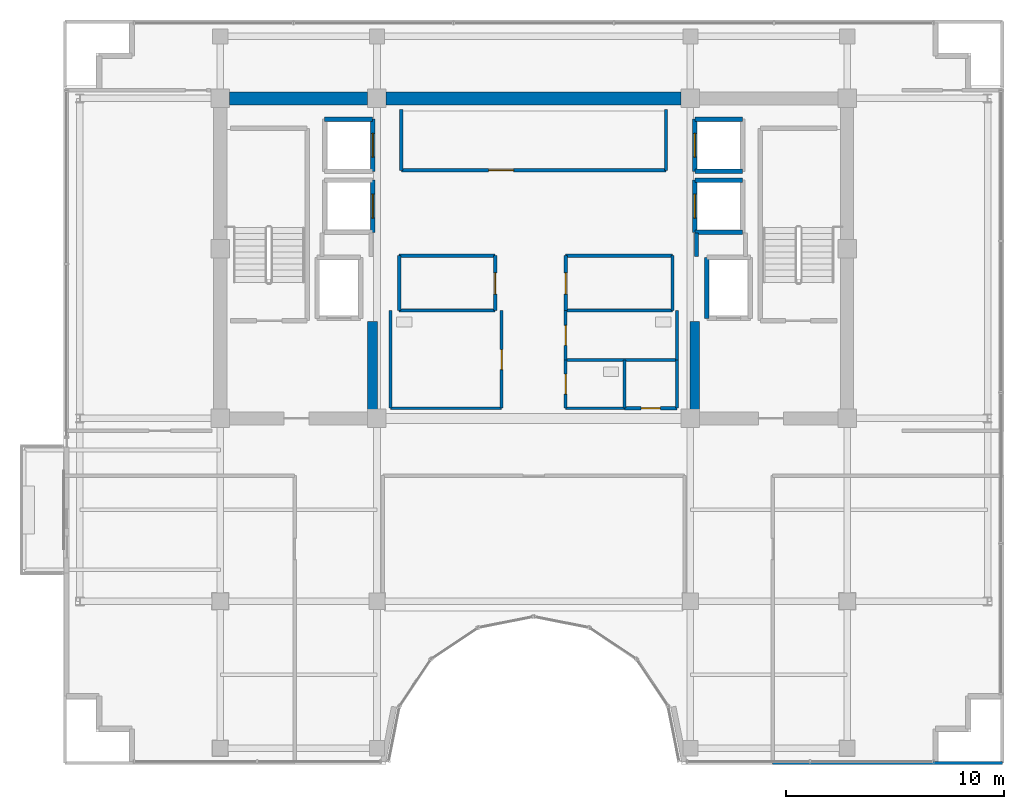
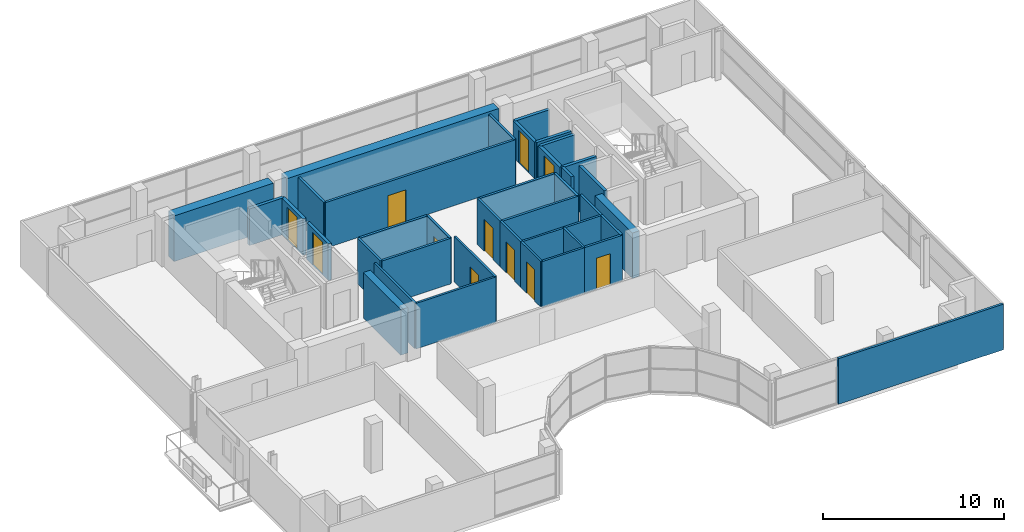
# One storey, part 23 of 28: 38 walls, 11 doors, 11 openings.
"""IFC4 building model written with IfcOpenShell, lengths in metres."""

from ifc_helpers import new_model, si_unit, direction, frame, frame_2d, origin, place, context, subcontext, project, spatial, rectangle, extrude, source, transform, mapped, material, layer, layer_set, type_object, element, fill, save


model = new_model("IFC4")

# Units and contexts
model_context = context("Model", 3, precision=1e-05, world=origin(), true_north=direction((0.0, 1.0)))
body_context = subcontext(model_context, "Body", "Model", "MODEL_VIEW")
ifc_project = project(units=[si_unit("LENGTHUNIT", "METRE"), si_unit("AREAUNIT", "SQUARE_METRE"), si_unit("VOLUMEUNIT", "CUBIC_METRE"), si_unit("PLANEANGLEUNIT", "RADIAN"), si_unit("MASSUNIT", "GRAM", prefix="KILO")], contexts=[model_context])

# Site, building, storey
site_placement = place(None, origin())
site = spatial("IfcSite", under=ifc_project, at=site_placement, CompositionType="ELEMENT")
building_placement = place(site_placement, origin())
building = spatial("IfcBuilding", under=site, at=building_placement, Name="Zarnakvel Exchange Tower", CompositionType="ELEMENT")
storey_placement = place(building_placement, frame((0.0, 0.0, 268.300048828125)))
storey = spatial("IfcBuildingStorey", under=building, at=storey_placement, Name="L76", CompositionType="ELEMENT", Elevation=268.300048828125)

# Walls
ifc_material_1 = material(Name="Concrete C50/60", Category="concrete")
ifc_layer_1 = layer(ifc_material_1, 0.60009765625)
ifc_layer_set_1 = layer_set([ifc_layer_1], Name="Concrete C50/60")
wall_type_1 = type_object("IfcWallType", Name="CW-C5", PredefinedType="SHEAR", material=ifc_layer_set_1)
wall_1_placement = place(storey_placement, frame((-13.97509765625, 13.5, 0.0), z_axis=(0.0, 0.0, 1.0), x_axis=(1.0, 0.0, 0.0)))
element("IfcWall", 1, at=wall_1_placement, inside=storey, type_object=wall_type_1, Name="L76 Rear Core Shear Wall N1 (CW-C5)", PredefinedType="SHEAR", context=body_context, shape_type="SweptSolid", body=[
    extrude(rectangle(XDim=6.35009765625, YDim=0.60009765625, at=frame_2d((3.175048828125, 0.0))), origin(), (0.0, 0.0, 1.0), 3.079833984375),
])
wall_2_placement = place(storey_placement, frame((-6.77490234375, 13.5, 0.0), z_axis=(0.0, 0.0, 1.0), x_axis=(1.0, 0.0, 0.0)))
element("IfcWall", 2, at=wall_2_placement, inside=storey, type_object=wall_type_1, Name="L76 Rear Core Shear Wall N2 (CW-C5)", PredefinedType="SHEAR", context=body_context, shape_type="SweptSolid", body=[
    extrude(rectangle(XDim=13.5498046875, YDim=0.60009765625, at=frame_2d((6.77490234375, 0.0))), origin(), (0.0, 0.0, 1.0), 3.079833984375),
])
ifc_layer_2 = layer(ifc_material_1, 0.449951171875)
ifc_layer_set_2 = layer_set([ifc_layer_2], Name="Concrete C50/60")
wall_type_2 = type_object("IfcWallType", Name="CW-C6", PredefinedType="SHEAR", material=ifc_layer_set_2)
for number, where, z_axis, x_axis, name in (
    (3, (-7.39990234375, -0.89990234375, 0.0), (0.0, 0.0, 1.0), (0.0, 1.0, 0.0), "L76 Rear Core Shear Wall IW (CW-C6)"),
    (4, (7.39990234375, -0.89990234375, 0.0), (0.0, 0.0, 1.0), (0.0, 1.0, 0.0), "L76 Rear Core Shear Wall IE (CW-C6)"),
):
    element("IfcWall", number, at=place(storey_placement, frame(where, z_axis=z_axis, x_axis=x_axis)), inside=storey, type_object=wall_type_2, Name=name, PredefinedType="SHEAR", context=body_context, shape_type="SweptSolid", body=[
        extrude(rectangle(XDim=4.14990234375, YDim=0.449951171875, at=frame_2d((2.074951171875, 0.0))), origin(), (0.0, 0.0, 1.0), 3.079833984375),
    ])

# Wall, opening, door
ifc_material_2 = material(Name="Fire-Rated Gypsum Stud Partition", Category="gypsum")
ifc_layer_3 = layer(ifc_material_2, 0.14990234375)
ifc_layer_set_3 = layer_set([ifc_layer_3], Name="Fire-Rated Gypsum Stud Partition")
wall_type_3 = type_object("IfcWallType", Name="PT-01", PredefinedType="PARTITIONING", material=ifc_layer_set_3)
wall_3_placement = place(storey_placement, frame((6.080078125, 10.199951171875, 0.0), z_axis=(0.0, 0.0, 1.0), x_axis=(-1.0, 0.0, 0.0)))
wall_3 = element("IfcWall", 5, at=wall_3_placement, inside=storey, type_object=wall_type_3, Name="L76 Partition Wall PWALL-L76-011 (PT-01)", PredefinedType="PARTITIONING", context=body_context, shape_type="SweptSolid", body=[
    extrude(rectangle(XDim=12.16015625, YDim=0.14990234375, at=frame_2d((6.080078125, 0.0))), origin(), (0.0, 0.0, 1.0), 3.079833984375),
])
opening_1_placement = place(wall_3_placement, frame((7.0048828125, 0.0, 0.0)))
opening_1 = element("IfcOpeningElement", 6, at=opening_1_placement, cuts=wall_3, Name="Opening D-L76-05", PredefinedType="OPENING", context=body_context, shape_type="SweptSolid", body=[
    extrude(rectangle(XDim=1.14990234375, YDim=2.14990234375, at=frame_2d((0.574951171875, 1.074951171875))), frame((0.0, 0.0849609375, 0.0), z_axis=(0.0, -1.0, 0.0), x_axis=(1.0, 0.0, 0.0)), (0.0, 0.0, 1.0), 0.169921875),
])
ifc_material_3 = material(Name="Painted Galvanised Steel S355", Category="steel")
door_type_1 = type_object("IfcDoorType", Name="DT-04", OperationType="NOTDEFINED", PredefinedType="DOOR", material=ifc_material_3)
shared_shape_1 = source(origin(), body_context, "Body", "SweptSolid", [
    extrude(rectangle(XDim=1.14990234375, YDim=2.14990234375, at=frame_2d((0.574951171875, 1.074951171875))), frame((0.0, 0.02490234375, 0.0), z_axis=(0.0, -1.0, 0.0), x_axis=(1.0, 0.0, 0.0)), (0.0, 0.0, 1.0), 0.050048828125),
])
door_1_placement = place(opening_1_placement, origin())
door_1 = element("IfcDoor", 7, at=door_1_placement, inside=storey, type_object=door_type_1, Name="L76 Market Data Archive Suite Door D-L76-05", OperationType="SINGLE_SWING_RIGHT", OverallHeight=2.14990234375, OverallWidth=1.14990234375, PredefinedType="DOOR", context=body_context, shape_type="MappedRepresentation", body=[
    mapped(shared_shape_1, transform((0.0, 0.0, 0.0), x_axis=(1.0, 0.0, 0.0), y_axis=(0.0, 1.0, 0.0), z_axis=(0.0, 0.0, 1.0), scale=1.0)),
])
fill(opening_1, door_1)

# Walls
for number, where, z_axis, x_axis, name in (
    (8, (-6.080078125, 10.199951171875, 0.0), (0.0, 0.0, 1.0), (0.0, 1.0, 0.0), "L76 Partition Wall PWALL-L76-012 (PT-01)"),
    (9, (6.080078125, 13.0, 0.0), (0.0, 0.0, 1.0), (0.0, -1.0, 0.0), "L76 Partition Wall PWALL-L76-013 (PT-01)"),
):
    element("IfcWall", number, at=place(storey_placement, frame(where, z_axis=z_axis, x_axis=x_axis)), inside=storey, type_object=wall_type_3, Name=name, PredefinedType="PARTITIONING", context=body_context, shape_type="SweptSolid", body=[
        extrude(rectangle(XDim=2.800048828125, YDim=0.14990234375, at=frame_2d((1.39990234375, 0.0))), origin(), (0.0, 0.0, 1.0), 3.079833984375),
    ])
for number, where, z_axis, x_axis, name in (
    (10, (-1.77001953125, 3.760009765625, 0.0), (0.0, 0.0, 1.0), (-1.0, 0.0, 0.0), "L76 Partition Wall PWALL-L76-014 (PT-01)"),
    (11, (-6.179931640625, 6.280029296875, 0.0), (0.0, 0.0, 1.0), (1.0, 0.0, 0.0), "L76 Partition Wall PWALL-L76-015 (PT-01)"),
):
    element("IfcWall", number, at=place(storey_placement, frame(where, z_axis=z_axis, x_axis=x_axis)), inside=storey, type_object=wall_type_3, Name=name, PredefinedType="PARTITIONING", context=body_context, shape_type="SweptSolid", body=[
        extrude(rectangle(XDim=4.409912109375, YDim=0.14990234375, at=frame_2d((2.205078125, 0.0))), origin(), (0.0, 0.0, 1.0), 3.079833984375),
    ])
wall_4_placement = place(storey_placement, frame((-6.179931640625, 3.760009765625, 0.0), z_axis=(0.0, 0.0, 1.0), x_axis=(0.0, 1.0, 0.0)))
element("IfcWall", 12, at=wall_4_placement, inside=storey, type_object=wall_type_3, Name="L76 Partition Wall PWALL-L76-016 (PT-01)", PredefinedType="PARTITIONING", context=body_context, shape_type="SweptSolid", body=[
    extrude(rectangle(XDim=2.52001953125, YDim=0.14990234375, at=frame_2d((1.260009765625, 0.0))), origin(), (0.0, 0.0, 1.0), 3.079833984375),
])

# Wall, opening, door
wall_5_placement = place(storey_placement, frame((-1.77001953125, 6.280029296875, 0.0), z_axis=(0.0, 0.0, 1.0), x_axis=(0.0, -1.0, 0.0)))
wall_5 = element("IfcWall", 13, at=wall_5_placement, inside=storey, type_object=wall_type_3, Name="L76 Partition Wall PWALL-L76-017 (PT-01)", PredefinedType="PARTITIONING", context=body_context, shape_type="SweptSolid", body=[
    extrude(rectangle(XDim=2.52001953125, YDim=0.14990234375, at=frame_2d((1.260009765625, 0.0))), origin(), (0.0, 0.0, 1.0), 3.079833984375),
])
opening_2_placement = place(wall_5_placement, frame((0.7900390625, 0.0, 0.0)))
opening_2 = element("IfcOpeningElement", 14, at=opening_2_placement, cuts=wall_5, Name="Opening D-L76-06", PredefinedType="OPENING", context=body_context, shape_type="SweptSolid", body=[
    extrude(rectangle(XDim=0.97998046875, YDim=2.14990234375, at=frame_2d((0.489990234375, 1.074951171875))), frame((0.0, 0.0849609375, 0.0), z_axis=(0.0, -1.0, 0.0), x_axis=(1.0, 0.0, 0.0)), (0.0, 0.0, 1.0), 0.169921875),
])
ifc_material_4 = material(Name="Timber Acoustic Veneer", Category="wood")
door_type_2 = type_object("IfcDoorType", Name="DT-05", OperationType="NOTDEFINED", PredefinedType="DOOR", material=ifc_material_4)
shared_shape_2 = source(origin(), body_context, "Body", "SweptSolid", [
    extrude(rectangle(XDim=0.97998046875, YDim=2.14990234375, at=frame_2d((0.489990234375, 1.074951171875))), frame((0.0, 0.02490234375, 0.0), z_axis=(0.0, -1.0, 0.0), x_axis=(1.0, 0.0, 0.0)), (0.0, 0.0, 1.0), 0.050048828125),
])
door_2_placement = place(opening_2_placement, origin())
door_2 = element("IfcDoor", 15, at=door_2_placement, inside=storey, type_object=door_type_2, Name="L76 Sovereign Compliance Office Door D-L76-06", OperationType="SINGLE_SWING_LEFT", OverallHeight=2.14990234375, OverallWidth=0.97998046875, PredefinedType="DOOR", context=body_context, shape_type="MappedRepresentation", body=[
    mapped(shared_shape_2, transform((0.0, 0.0, 0.0), x_axis=(1.0, 0.0, 0.0), y_axis=(0.0, 1.0, 0.0), z_axis=(0.0, 0.0, 1.0), scale=1.0)),
])
fill(opening_2, door_2)

# Walls
for number, where, z_axis, x_axis, name in (
    (16, (6.3798828125, 3.760009765625, 0.0), (0.0, 0.0, 1.0), (-1.0, 0.0, 0.0), "L76 Partition Wall PWALL-L76-018 (PT-01)"),
    (17, (1.469970703125, 6.280029296875, 0.0), (0.0, 0.0, 1.0), (1.0, 0.0, 0.0), "L76 Partition Wall PWALL-L76-019 (PT-01)"),
):
    element("IfcWall", number, at=place(storey_placement, frame(where, z_axis=z_axis, x_axis=x_axis)), inside=storey, type_object=wall_type_3, Name=name, PredefinedType="PARTITIONING", context=body_context, shape_type="SweptSolid", body=[
        extrude(rectangle(XDim=4.909912109375, YDim=0.14990234375, at=frame_2d((2.455078125, 0.0))), origin(), (0.0, 0.0, 1.0), 3.079833984375),
    ])

# Wall, opening, door
wall_6_placement = place(storey_placement, frame((1.469970703125, 3.760009765625, 0.0), z_axis=(0.0, 0.0, 1.0), x_axis=(0.0, 1.0, 0.0)))
wall_6 = element("IfcWall", 18, at=wall_6_placement, inside=storey, type_object=wall_type_3, Name="L76 Partition Wall PWALL-L76-020 (PT-01)", PredefinedType="PARTITIONING", context=body_context, shape_type="SweptSolid", body=[
    extrude(rectangle(XDim=2.52001953125, YDim=0.14990234375, at=frame_2d((1.260009765625, 0.0))), origin(), (0.0, 0.0, 1.0), 3.079833984375),
])
opening_3_placement = place(wall_6_placement, frame((0.75, 0.0, 0.0)))
opening_3 = element("IfcOpeningElement", 19, at=opening_3_placement, cuts=wall_6, Name="Opening D-L76-07", PredefinedType="OPENING", context=body_context, shape_type="SweptSolid", body=[
    extrude(rectangle(XDim=0.97998046875, YDim=2.14990234375, at=frame_2d((0.489990234375, 1.074951171875))), frame((0.0, 0.0849609375, 0.0), z_axis=(0.0, -1.0, 0.0), x_axis=(1.0, 0.0, 0.0)), (0.0, 0.0, 1.0), 0.169921875),
])
door_3_placement = place(opening_3_placement, origin())
door_3 = element("IfcDoor", 20, at=door_3_placement, inside=storey, type_object=door_type_2, Name="L76 Depository Legal Office Door D-L76-07", OperationType="SINGLE_SWING_RIGHT", OverallHeight=2.14990234375, OverallWidth=0.97998046875, PredefinedType="DOOR", context=body_context, shape_type="MappedRepresentation", body=[
    mapped(shared_shape_2, transform((0.0, 0.0, 0.0), x_axis=(1.0, 0.0, 0.0), y_axis=(0.0, 1.0, 0.0), z_axis=(0.0, 0.0, 1.0), scale=1.0)),
])
fill(opening_3, door_3)

# Wall
wall_7_placement = place(storey_placement, frame((6.3798828125, 6.280029296875, 0.0), z_axis=(0.0, 0.0, 1.0), x_axis=(0.0, -1.0, 0.0)))
element("IfcWall", 21, at=wall_7_placement, inside=storey, type_object=wall_type_3, Name="L76 Partition Wall PWALL-L76-021 (PT-01)", PredefinedType="PARTITIONING", context=body_context, shape_type="SweptSolid", body=[
    extrude(rectangle(XDim=2.52001953125, YDim=0.14990234375, at=frame_2d((1.260009765625, 0.0))), origin(), (0.0, 0.0, 1.0), 3.079833984375),
])

# Wall, opening, door
wall_8_placement = place(storey_placement, frame((6.580078125, -0.72998046875, 0.0), z_axis=(0.0, 0.0, 1.0), x_axis=(-1.0, 0.0, 0.0)))
wall_8 = element("IfcWall", 22, at=wall_8_placement, inside=storey, type_object=wall_type_3, Name="L76 Partition Wall PWALL-L76-031 (PT-01)", PredefinedType="PARTITIONING", context=body_context, shape_type="SweptSolid", body=[
    extrude(rectangle(XDim=2.400146484375, YDim=0.14990234375, at=frame_2d((1.2001953125, 0.0))), origin(), (0.0, 0.0, 1.0), 3.079833984375),
])
opening_4_placement = place(wall_8_placement, frame((0.760009765625, 0.0, 0.0)))
opening_4 = element("IfcOpeningElement", 23, at=opening_4_placement, cuts=wall_8, Name="Opening D-L76-11", PredefinedType="OPENING", context=body_context, shape_type="SweptSolid", body=[
    extrude(rectangle(XDim=0.8798828125, YDim=2.10009765625, at=frame_2d((0.43994140625, 1.050048828125))), frame((0.0, 0.0849609375, 0.0), z_axis=(0.0, -1.0, 0.0), x_axis=(1.0, 0.0, 0.0)), (0.0, 0.0, 1.0), 0.169921875),
])
door_type_3 = type_object("IfcDoorType", Name="DT-08", OperationType="NOTDEFINED", PredefinedType="DOOR", material=ifc_material_3)
shared_shape_3 = source(origin(), body_context, "Body", "SweptSolid", [
    extrude(rectangle(XDim=0.8798828125, YDim=2.10009765625, at=frame_2d((0.43994140625, 1.050048828125))), frame((0.0, 0.02490234375, 0.0), z_axis=(0.0, -1.0, 0.0), x_axis=(1.0, 0.0, 0.0)), (0.0, 0.0, 1.0), 0.050048828125),
])
door_4_placement = place(opening_4_placement, origin())
door_4 = element("IfcDoor", 24, at=door_4_placement, inside=storey, type_object=door_type_3, Name="L76 Cleaners Store Door D-L76-11", OperationType="SINGLE_SWING_RIGHT", OverallHeight=2.10009765625, OverallWidth=0.8798828125, PredefinedType="DOOR", context=body_context, shape_type="MappedRepresentation", body=[
    mapped(shared_shape_3, transform((0.0, 0.0, 0.0), x_axis=(1.0, 0.0, 0.0), y_axis=(0.0, 1.0, 0.0), z_axis=(0.0, 0.0, 1.0), scale=1.0)),
])
fill(opening_4, door_4)

# Walls
wall_9_placement = place(storey_placement, frame((6.580078125, 1.47998046875, 0.0), z_axis=(0.0, 0.0, 1.0), x_axis=(0.0, -1.0, 0.0)))
element("IfcWall", 25, at=wall_9_placement, inside=storey, type_object=wall_type_3, Name="L76 Partition Wall PWALL-L76-032 (PT-01)", PredefinedType="PARTITIONING", context=body_context, shape_type="SweptSolid", body=[
    extrude(rectangle(XDim=2.2099609375, YDim=0.14990234375, at=frame_2d((1.10498046875, 0.0))), origin(), (0.0, 0.0, 1.0), 3.079833984375),
])
wall_10_placement = place(storey_placement, frame((21.530029296875, -17.030029296875, 0.0), z_axis=(0.0, 0.0, 1.0), x_axis=(-1.0, 0.0, 0.0)))
element("IfcWall", 26, at=wall_10_placement, inside=storey, type_object=wall_type_3, Name="L76 Partition Wall PWALL-L76-037 (PT-01)", PredefinedType="PARTITIONING", context=body_context, shape_type="SweptSolid", body=[
    extrude(rectangle(XDim=10.550048828125, YDim=0.14990234375, at=frame_2d((5.27490234375, 0.0))), origin(), (0.0, 0.0, 1.0), 3.079833984375),
])
ifc_layer_4 = layer(ifc_material_2, 0.179931640625)
ifc_layer_set_4 = layer_set([ifc_layer_4], Name="Fire-Rated Gypsum Stud Partition")
wall_type_4 = type_object("IfcWallType", Name="PT-02", PredefinedType="PARTITIONING", material=ifc_layer_set_4)
wall_11_placement = place(storey_placement, frame((7.469970703125, 6.239990234375, 0.0), z_axis=(0.0, 0.0, 1.0), x_axis=(0.0, 1.0, 0.0)))
element("IfcWall", 27, at=wall_11_placement, inside=storey, type_object=wall_type_4, Name="L76 Partition Wall PWALL-L76-009 (PT-02)", PredefinedType="PARTITIONING", context=body_context, shape_type="SweptSolid", body=[
    extrude(rectangle(XDim=1.090087890625, YDim=0.179931640625, at=frame_2d((0.544921875, 0.0))), origin(), (0.0, 0.0, 1.0), 2.469970703125),
])
ifc_material_5 = material(Name="Moisture-Resistant Tile-Faced Partition", Category="gypsum")
ifc_layer_5 = layer(ifc_material_5, 0.135009765625)
ifc_layer_set_5 = layer_set([ifc_layer_5], Name="Moisture-Resistant Tile-Faced Partition")
wall_type_5 = type_object("IfcWallType", Name="PT-03", PredefinedType="PARTITIONING", material=ifc_layer_set_5)
wall_12_placement = place(storey_placement, frame((-1.469970703125, -0.72998046875, 0.0), z_axis=(0.0, 0.0, 1.0), x_axis=(-1.0, 0.0, 0.0)))
element("IfcWall", 28, at=wall_12_placement, inside=storey, type_object=wall_type_5, Name="L76 Partition Wall PWALL-L76-022 (PT-03)", PredefinedType="PARTITIONING", context=body_context, shape_type="SweptSolid", body=[
    extrude(rectangle(XDim=5.110107421875, YDim=0.135009765625, at=frame_2d((2.55517578125, 0.0))), origin(), (0.0, 0.0, 1.0), 3.079833984375),
])
wall_13_placement = place(storey_placement, frame((-6.580078125, -0.72998046875, 0.0), z_axis=(0.0, 0.0, 1.0), x_axis=(0.0, 1.0, 0.0)))
element("IfcWall", 29, at=wall_13_placement, inside=storey, type_object=wall_type_5, Name="L76 Partition Wall PWALL-L76-023 (PT-03)", PredefinedType="PARTITIONING", context=body_context, shape_type="SweptSolid", body=[
    extrude(rectangle(XDim=4.489990234375, YDim=0.135009765625, at=frame_2d((2.2451171875, 0.0))), origin(), (0.0, 0.0, 1.0), 3.079833984375),
])

# Wall, opening, door
wall_14_placement = place(storey_placement, frame((-1.469970703125, 3.760009765625, 0.0), z_axis=(0.0, 0.0, 1.0), x_axis=(0.0, -1.0, 0.0)))
wall_14 = element("IfcWall", 30, at=wall_14_placement, inside=storey, type_object=wall_type_5, Name="L76 Partition Wall PWALL-L76-024 (PT-03)", PredefinedType="PARTITIONING", context=body_context, shape_type="SweptSolid", body=[
    extrude(rectangle(XDim=4.489990234375, YDim=0.135009765625, at=frame_2d((2.2451171875, 0.0))), origin(), (0.0, 0.0, 1.0), 3.079833984375),
])
opening_5_placement = place(wall_14_placement, frame((1.800048828125, 0.0, 0.0)))
opening_5 = element("IfcOpeningElement", 31, at=opening_5_placement, cuts=wall_14, Name="Opening D-L76-08", PredefinedType="OPENING", context=body_context, shape_type="SweptSolid", body=[
    extrude(rectangle(XDim=0.919921875, YDim=2.10009765625, at=frame_2d((0.4599609375, 1.050048828125))), frame((0.0, 0.077392578125, 0.0), z_axis=(0.0, -1.0, 0.0), x_axis=(1.0, 0.0, 0.0)), (0.0, 0.0, 1.0), 0.155029296875),
])
ifc_material_6 = material(Name="Moisture-Resistant Laminate Timber", Category="wood")
door_type_4 = type_object("IfcDoorType", Name="DT-07", OperationType="NOTDEFINED", PredefinedType="DOOR", material=ifc_material_6)
shared_shape_4 = source(origin(), body_context, "Body", "SweptSolid", [
    extrude(rectangle(XDim=0.919921875, YDim=2.10009765625, at=frame_2d((0.4599609375, 1.050048828125))), frame((0.0, 0.02490234375, 0.0), z_axis=(0.0, -1.0, 0.0), x_axis=(1.0, 0.0, 0.0)), (0.0, 0.0, 1.0), 0.050048828125),
])
door_5_placement = place(opening_5_placement, origin())
door_5 = element("IfcDoor", 32, at=door_5_placement, inside=storey, type_object=door_type_4, Name="L76 Male Toilet Door D-L76-08", OperationType="SINGLE_SWING_LEFT", OverallHeight=2.10009765625, OverallWidth=0.919921875, PredefinedType="DOOR", context=body_context, shape_type="MappedRepresentation", body=[
    mapped(shared_shape_4, transform((0.0, 0.0, 0.0), x_axis=(1.0, 0.0, 0.0), y_axis=(0.0, 1.0, 0.0), z_axis=(0.0, 0.0, 1.0), scale=1.0)),
])
fill(opening_5, door_5)

# Wall
wall_15_placement = place(storey_placement, frame((6.580078125, 1.47998046875, 0.0), z_axis=(0.0, 0.0, 1.0), x_axis=(-1.0, 0.0, 0.0)))
element("IfcWall", 33, at=wall_15_placement, inside=storey, type_object=wall_type_5, Name="L76 Partition Wall PWALL-L76-025 (PT-03)", PredefinedType="PARTITIONING", context=body_context, shape_type="SweptSolid", body=[
    extrude(rectangle(XDim=5.110107421875, YDim=0.135009765625, at=frame_2d((2.55517578125, 0.0))), origin(), (0.0, 0.0, 1.0), 3.079833984375),
])

# Wall, opening, door
wall_16_placement = place(storey_placement, frame((1.469970703125, 1.47998046875, 0.0), z_axis=(0.0, 0.0, 1.0), x_axis=(0.0, 1.0, 0.0)))
wall_16 = element("IfcWall", 34, at=wall_16_placement, inside=storey, type_object=wall_type_5, Name="L76 Partition Wall PWALL-L76-026 (PT-03)", PredefinedType="PARTITIONING", context=body_context, shape_type="SweptSolid", body=[
    extrude(rectangle(XDim=2.280029296875, YDim=0.135009765625, at=frame_2d((1.14013671875, 0.0))), origin(), (0.0, 0.0, 1.0), 3.079833984375),
])
opening_6_placement = place(wall_16_placement, frame((0.679931640625, 0.0, 0.0)))
opening_6 = element("IfcOpeningElement", 35, at=opening_6_placement, cuts=wall_16, Name="Opening D-L76-09", PredefinedType="OPENING", context=body_context, shape_type="SweptSolid", body=[
    extrude(rectangle(XDim=0.919921875, YDim=2.10009765625, at=frame_2d((0.4599609375, 1.050048828125))), frame((0.0, 0.077392578125, 0.0), z_axis=(0.0, -1.0, 0.0), x_axis=(1.0, 0.0, 0.0)), (0.0, 0.0, 1.0), 0.155029296875),
])
door_6_placement = place(opening_6_placement, origin())
door_6 = element("IfcDoor", 36, at=door_6_placement, inside=storey, type_object=door_type_4, Name="L76 Female Toilet Door D-L76-09", OperationType="SINGLE_SWING_RIGHT", OverallHeight=2.10009765625, OverallWidth=0.919921875, PredefinedType="DOOR", context=body_context, shape_type="MappedRepresentation", body=[
    mapped(shared_shape_4, transform((0.0, 0.0, 0.0), x_axis=(1.0, 0.0, 0.0), y_axis=(0.0, 1.0, 0.0), z_axis=(0.0, 0.0, 1.0), scale=1.0)),
])
fill(opening_6, door_6)

# Walls
wall_17_placement = place(storey_placement, frame((6.580078125, 3.760009765625, 0.0), z_axis=(0.0, 0.0, 1.0), x_axis=(0.0, -1.0, 0.0)))
element("IfcWall", 37, at=wall_17_placement, inside=storey, type_object=wall_type_5, Name="L76 Partition Wall PWALL-L76-027 (PT-03)", PredefinedType="PARTITIONING", context=body_context, shape_type="SweptSolid", body=[
    extrude(rectangle(XDim=2.280029296875, YDim=0.135009765625, at=frame_2d((1.14013671875, 0.0))), origin(), (0.0, 0.0, 1.0), 3.079833984375),
])
wall_18_placement = place(storey_placement, frame((4.179931640625, -0.72998046875, 0.0), z_axis=(0.0, 0.0, 1.0), x_axis=(-1.0, 0.0, 0.0)))
element("IfcWall", 38, at=wall_18_placement, inside=storey, type_object=wall_type_5, Name="L76 Partition Wall PWALL-L76-028 (PT-03)", PredefinedType="PARTITIONING", context=body_context, shape_type="SweptSolid", body=[
    extrude(rectangle(XDim=2.7099609375, YDim=0.135009765625, at=frame_2d((1.35498046875, 0.0))), origin(), (0.0, 0.0, 1.0), 3.079833984375),
])

# Wall, opening, door
wall_19_placement = place(storey_placement, frame((1.469970703125, -0.72998046875, 0.0), z_axis=(0.0, 0.0, 1.0), x_axis=(0.0, 1.0, 0.0)))
wall_19 = element("IfcWall", 39, at=wall_19_placement, inside=storey, type_object=wall_type_5, Name="L76 Partition Wall PWALL-L76-029 (PT-03)", PredefinedType="PARTITIONING", context=body_context, shape_type="SweptSolid", body=[
    extrude(rectangle(XDim=2.2099609375, YDim=0.135009765625, at=frame_2d((1.10498046875, 0.0))), origin(), (0.0, 0.0, 1.0), 3.079833984375),
])
opening_7_placement = place(wall_19_placement, frame((0.64990234375, 0.0, 0.0)))
opening_7 = element("IfcOpeningElement", 40, at=opening_7_placement, cuts=wall_19, Name="Opening D-L76-10", PredefinedType="OPENING", context=body_context, shape_type="SweptSolid", body=[
    extrude(rectangle(XDim=0.919921875, YDim=2.10009765625, at=frame_2d((0.4599609375, 1.050048828125))), frame((0.0, 0.077392578125, 0.0), z_axis=(0.0, -1.0, 0.0), x_axis=(1.0, 0.0, 0.0)), (0.0, 0.0, 1.0), 0.155029296875),
])
door_7_placement = place(opening_7_placement, origin())
door_7 = element("IfcDoor", 41, at=door_7_placement, inside=storey, type_object=door_type_4, Name="L76 Accessible Toilet Door D-L76-10", OperationType="SINGLE_SWING_LEFT", OverallHeight=2.10009765625, OverallWidth=0.919921875, PredefinedType="DOOR", context=body_context, shape_type="MappedRepresentation", body=[
    mapped(shared_shape_4, transform((0.0, 0.0, 0.0), x_axis=(1.0, 0.0, 0.0), y_axis=(0.0, 1.0, 0.0), z_axis=(0.0, 0.0, 1.0), scale=1.0)),
])
fill(opening_7, door_7)

# Walls
wall_20_placement = place(storey_placement, frame((4.179931640625, 1.47998046875, 0.0), z_axis=(0.0, 0.0, 1.0), x_axis=(0.0, -1.0, 0.0)))
element("IfcWall", 42, at=wall_20_placement, inside=storey, type_object=wall_type_5, Name="L76 Partition Wall PWALL-L76-030 (PT-03)", PredefinedType="PARTITIONING", context=body_context, shape_type="SweptSolid", body=[
    extrude(rectangle(XDim=2.2099609375, YDim=0.135009765625, at=frame_2d((1.10498046875, 0.0))), origin(), (0.0, 0.0, 1.0), 3.079833984375),
])
ifc_material_7 = material(Name="Concrete C40/50", Category="concrete")
ifc_layer_6 = layer(ifc_material_7, 0.199951171875)
ifc_layer_set_6 = layer_set([ifc_layer_6], Name="Concrete C40/50")
wall_type_6 = type_object("IfcWallType", Name="SW-01", PredefinedType="SOLIDWALL", material=ifc_layer_set_6)
wall_21_placement = place(storey_placement, frame((7.949951171875, 3.39990234375, 0.0), z_axis=(0.0, 0.0, 1.0), x_axis=(0.0, 1.0, 0.0)))
element("IfcWall", 43, at=wall_21_placement, inside=storey, type_object=wall_type_6, Name="L76 FL-02 Hoistway Wall West", PredefinedType="SOLIDWALL", context=body_context, shape_type="SweptSolid", body=[
    extrude(rectangle(XDim=2.800048828125, YDim=0.199951171875, at=frame_2d((1.39990234375, 0.0))), origin(), (0.0, 0.0, 1.0), 3.079833984375),
])

# Wall, opening, door
wall_22_placement = place(storey_placement, frame((-7.39990234375, 9.75, 0.0), z_axis=(0.0, 0.0, 1.0), x_axis=(0.0, -1.0, 0.0)))
wall_22 = element("IfcWall", 44, at=wall_22_placement, inside=storey, type_object=wall_type_6, Name="L76 PL-09 Hoistway Wall East", PredefinedType="SOLIDWALL", context=body_context, shape_type="SweptSolid", body=[
    extrude(rectangle(XDim=2.39990234375, YDim=0.199951171875, at=frame_2d((1.199951171875, 0.0))), origin(), (0.0, 0.0, 1.0), 2.469970703125),
])
opening_8_placement = place(wall_22_placement, frame((0.64990234375, 0.0, 0.0)))
opening_8 = element("IfcOpeningElement", 45, at=opening_8_placement, cuts=wall_22, Name="Opening LD-PL-09-L76", PredefinedType="OPENING", context=body_context, shape_type="SweptSolid", body=[
    extrude(rectangle(XDim=1.10009765625, YDim=2.199951171875, at=frame_2d((0.550048828125, 1.10009765625))), frame((0.0, 0.10986328125, 0.0), z_axis=(0.0, -1.0, 0.0), x_axis=(1.0, 0.0, 0.0)), (0.0, 0.0, 1.0), 0.219970703125),
])
ifc_material_8 = material(Name="Architectural Bronze Anodised Aluminium", Category="aluminium")
door_type_5 = type_object("IfcDoorType", Name="LDT-02", OperationType="NOTDEFINED", PredefinedType="DOOR", material=ifc_material_8)
shared_shape_5 = source(origin(), body_context, "Body", "SweptSolid", [
    extrude(rectangle(XDim=1.10009765625, YDim=2.199951171875, at=frame_2d((0.550048828125, 1.10009765625))), frame((0.0, 0.02490234375, 0.0), z_axis=(0.0, -1.0, 0.0), x_axis=(1.0, 0.0, 0.0)), (0.0, 0.0, 1.0), 0.050048828125),
])
door_8_placement = place(opening_8_placement, origin())
door_8 = element("IfcDoor", 46, at=door_8_placement, inside=storey, type_object=door_type_5, Name="L76 PL-09 Lift Landing Door LD-PL-09-L76", OperationType="DOUBLE_DOOR_SLIDING", OverallHeight=2.199951171875, OverallWidth=1.10009765625, PredefinedType="DOOR", context=body_context, shape_type="MappedRepresentation", body=[
    mapped(shared_shape_5, transform((0.0, 0.0, 0.0), x_axis=(1.0, 0.0, 0.0), y_axis=(0.0, 1.0, 0.0), z_axis=(0.0, 0.0, 1.0), scale=1.0)),
])
fill(opening_8, door_8)

# Wall
wall_23_placement = place(storey_placement, frame((-9.60009765625, 12.550048828125, 0.0), z_axis=(0.0, 0.0, 1.0), x_axis=(1.0, 0.0, 0.0)))
element("IfcWall", 47, at=wall_23_placement, inside=storey, type_object=wall_type_6, Name="L76 PL-10 Hoistway Wall North", PredefinedType="SOLIDWALL", context=body_context, shape_type="SweptSolid", body=[
    extrude(rectangle(XDim=2.2001953125, YDim=0.199951171875, at=frame_2d((1.10009765625, 0.0))), origin(), (0.0, 0.0, 1.0), 2.469970703125),
])

# Wall, opening, door
wall_24_placement = place(storey_placement, frame((-7.39990234375, 12.550048828125, 0.0), z_axis=(0.0, 0.0, 1.0), x_axis=(0.0, -1.0, 0.0)))
wall_24 = element("IfcWall", 48, at=wall_24_placement, inside=storey, type_object=wall_type_6, Name="L76 PL-10 Hoistway Wall East", PredefinedType="SOLIDWALL", context=body_context, shape_type="SweptSolid", body=[
    extrude(rectangle(XDim=2.400146484375, YDim=0.199951171875, at=frame_2d((1.2001953125, 0.0))), origin(), (0.0, 0.0, 1.0), 2.469970703125),
])
opening_9_placement = place(wall_24_placement, frame((0.64990234375, 0.0, 0.0)))
opening_9 = element("IfcOpeningElement", 49, at=opening_9_placement, cuts=wall_24, Name="Opening LD-PL-10-L76", PredefinedType="OPENING", context=body_context, shape_type="SweptSolid", body=[
    extrude(rectangle(XDim=1.10009765625, YDim=2.199951171875, at=frame_2d((0.550048828125, 1.10009765625))), frame((0.0, 0.10986328125, 0.0), z_axis=(0.0, -1.0, 0.0), x_axis=(1.0, 0.0, 0.0)), (0.0, 0.0, 1.0), 0.219970703125),
])
door_9_placement = place(opening_9_placement, origin())
door_9 = element("IfcDoor", 50, at=door_9_placement, inside=storey, type_object=door_type_5, Name="L76 PL-10 Lift Landing Door LD-PL-10-L76", OperationType="DOUBLE_DOOR_SLIDING", OverallHeight=2.199951171875, OverallWidth=1.10009765625, PredefinedType="DOOR", context=body_context, shape_type="MappedRepresentation", body=[
    mapped(shared_shape_5, transform((0.0, 0.0, 0.0), x_axis=(1.0, 0.0, 0.0), y_axis=(0.0, 1.0, 0.0), z_axis=(0.0, 0.0, 1.0), scale=1.0)),
])
fill(opening_9, door_9)

# Walls
for number, where, z_axis, x_axis, name in (
    (51, (9.60009765625, 7.35009765625, 0.0), (0.0, 0.0, 1.0), (-1.0, 0.0, 0.0), "L76 PL-11 Hoistway Wall South"),
    (52, (7.39990234375, 9.75, 0.0), (0.0, 0.0, 1.0), (1.0, 0.0, 0.0), "L76 PL-11 Hoistway Wall North"),
):
    element("IfcWall", number, at=place(storey_placement, frame(where, z_axis=z_axis, x_axis=x_axis)), inside=storey, type_object=wall_type_6, Name=name, PredefinedType="SOLIDWALL", context=body_context, shape_type="SweptSolid", body=[
        extrude(rectangle(XDim=2.2001953125, YDim=0.199951171875, at=frame_2d((1.10009765625, 0.0))), origin(), (0.0, 0.0, 1.0), 2.469970703125),
    ])

# Wall, opening, door
wall_25_placement = place(storey_placement, frame((7.39990234375, 7.35009765625, 0.0), z_axis=(0.0, 0.0, 1.0), x_axis=(0.0, 1.0, 0.0)))
wall_25 = element("IfcWall", 53, at=wall_25_placement, inside=storey, type_object=wall_type_6, Name="L76 PL-11 Hoistway Wall West", PredefinedType="SOLIDWALL", context=body_context, shape_type="SweptSolid", body=[
    extrude(rectangle(XDim=2.39990234375, YDim=0.199951171875, at=frame_2d((1.199951171875, 0.0))), origin(), (0.0, 0.0, 1.0), 2.469970703125),
])
opening_10_placement = place(wall_25_placement, frame((0.64990234375, 0.0, 0.0)))
opening_10 = element("IfcOpeningElement", 54, at=opening_10_placement, cuts=wall_25, Name="Opening LD-PL-11-L76", PredefinedType="OPENING", context=body_context, shape_type="SweptSolid", body=[
    extrude(rectangle(XDim=1.10009765625, YDim=2.199951171875, at=frame_2d((0.550048828125, 1.10009765625))), frame((0.0, 0.10986328125, 0.0), z_axis=(0.0, -1.0, 0.0), x_axis=(1.0, 0.0, 0.0)), (0.0, 0.0, 1.0), 0.219970703125),
])
door_10_placement = place(opening_10_placement, origin())
door_10 = element("IfcDoor", 55, at=door_10_placement, inside=storey, type_object=door_type_5, Name="L76 PL-11 Lift Landing Door LD-PL-11-L76", OperationType="DOUBLE_DOOR_SLIDING", OverallHeight=2.199951171875, OverallWidth=1.10009765625, PredefinedType="DOOR", context=body_context, shape_type="MappedRepresentation", body=[
    mapped(shared_shape_5, transform((0.0, 0.0, 0.0), x_axis=(1.0, 0.0, 0.0), y_axis=(0.0, 1.0, 0.0), z_axis=(0.0, 0.0, 1.0), scale=1.0)),
])
fill(opening_10, door_10)

# Walls
for number, where, z_axis, x_axis, name in (
    (56, (9.60009765625, 10.14990234375, 0.0), (0.0, 0.0, 1.0), (-1.0, 0.0, 0.0), "L76 PL-12 Hoistway Wall South"),
    (57, (7.39990234375, 12.550048828125, 0.0), (0.0, 0.0, 1.0), (1.0, 0.0, 0.0), "L76 PL-12 Hoistway Wall North"),
):
    element("IfcWall", number, at=place(storey_placement, frame(where, z_axis=z_axis, x_axis=x_axis)), inside=storey, type_object=wall_type_6, Name=name, PredefinedType="SOLIDWALL", context=body_context, shape_type="SweptSolid", body=[
        extrude(rectangle(XDim=2.2001953125, YDim=0.199951171875, at=frame_2d((1.10009765625, 0.0))), origin(), (0.0, 0.0, 1.0), 2.469970703125),
    ])

# Wall, opening, door
wall_26_placement = place(storey_placement, frame((7.39990234375, 10.14990234375, 0.0), z_axis=(0.0, 0.0, 1.0), x_axis=(0.0, 1.0, 0.0)))
wall_26 = element("IfcWall", 58, at=wall_26_placement, inside=storey, type_object=wall_type_6, Name="L76 PL-12 Hoistway Wall West", PredefinedType="SOLIDWALL", context=body_context, shape_type="SweptSolid", body=[
    extrude(rectangle(XDim=2.400146484375, YDim=0.199951171875, at=frame_2d((1.2001953125, 0.0))), origin(), (0.0, 0.0, 1.0), 2.469970703125),
])
opening_11_placement = place(wall_26_placement, frame((0.64990234375, 0.0, 0.0)))
opening_11 = element("IfcOpeningElement", 59, at=opening_11_placement, cuts=wall_26, Name="Opening LD-PL-12-L76", PredefinedType="OPENING", context=body_context, shape_type="SweptSolid", body=[
    extrude(rectangle(XDim=1.10009765625, YDim=2.199951171875, at=frame_2d((0.550048828125, 1.10009765625))), frame((0.0, 0.10986328125, 0.0), z_axis=(0.0, -1.0, 0.0), x_axis=(1.0, 0.0, 0.0)), (0.0, 0.0, 1.0), 0.219970703125),
])
door_11_placement = place(opening_11_placement, origin())
door_11 = element("IfcDoor", 60, at=door_11_placement, inside=storey, type_object=door_type_5, Name="L76 PL-12 Lift Landing Door LD-PL-12-L76", OperationType="DOUBLE_DOOR_SLIDING", OverallHeight=2.199951171875, OverallWidth=1.10009765625, PredefinedType="DOOR", context=body_context, shape_type="MappedRepresentation", body=[
    mapped(shared_shape_5, transform((0.0, 0.0, 0.0), x_axis=(1.0, 0.0, 0.0), y_axis=(0.0, 1.0, 0.0), z_axis=(0.0, 0.0, 1.0), scale=1.0)),
])
fill(opening_11, door_11)

save(model, "model.ifc")
